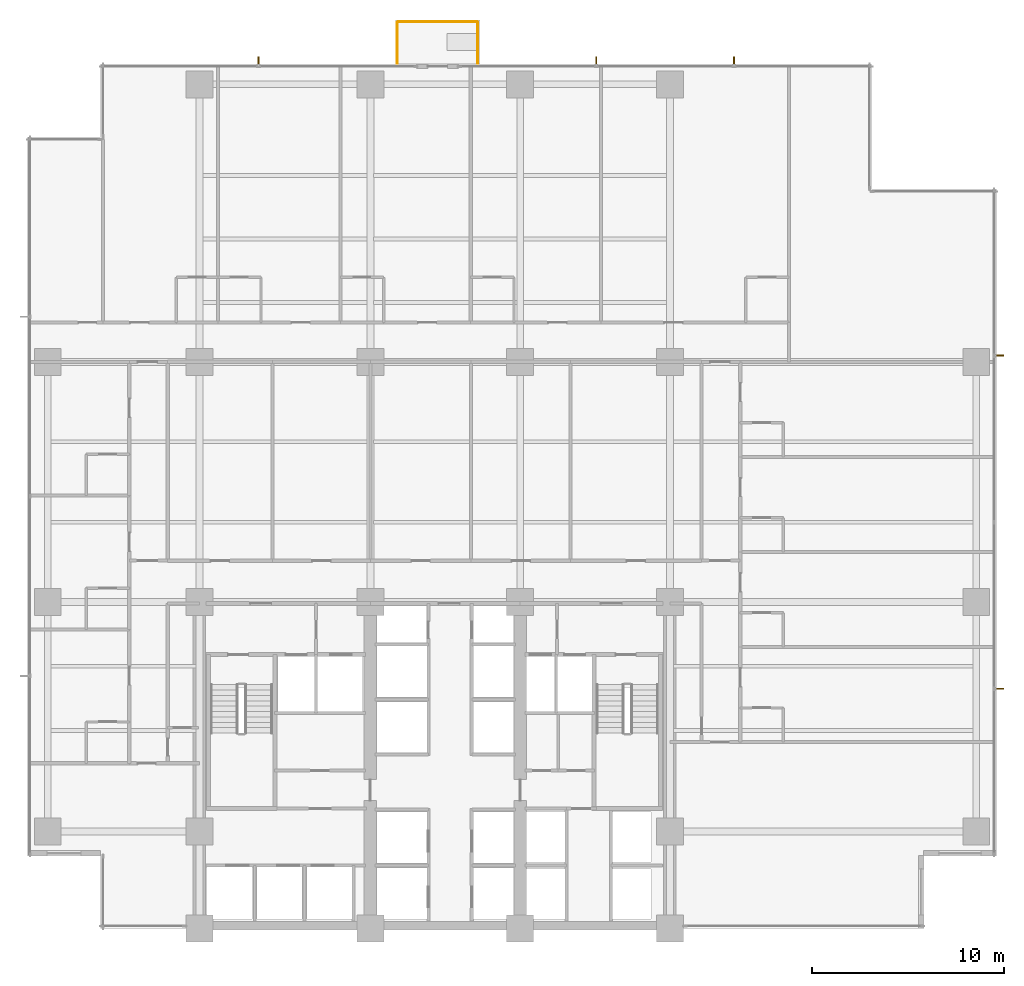
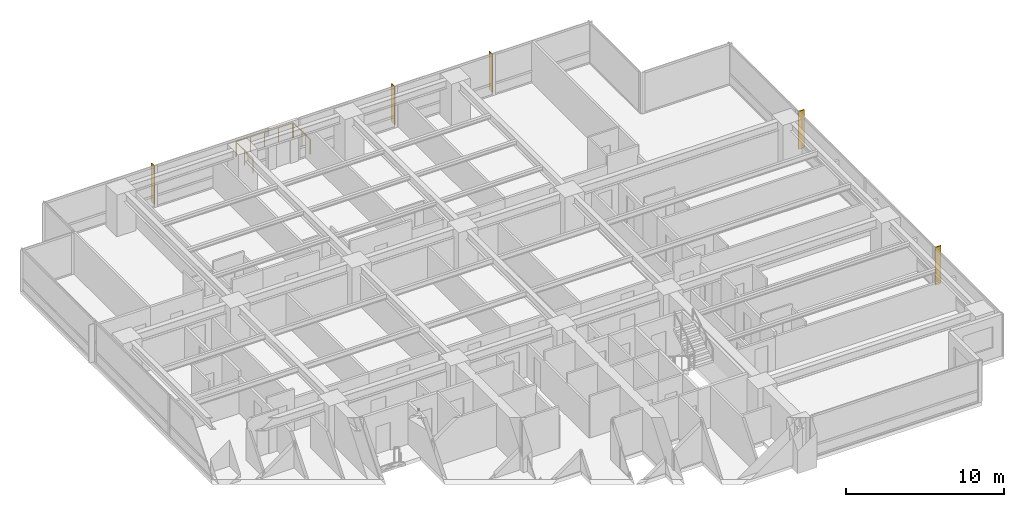
# One storey, part 16 of 16: 5 shading devices, 3 railings.
"""IFC4 building model written with IfcOpenShell, lengths in metres."""

from ifc_helpers import new_model, si_unit, direction, frame, origin, origin_2d, place, context, subcontext, project, spatial, polyline, circle, outline, extrude, material, layer, layer_set, type_object, element, save


model = new_model("IFC4")

# Units and contexts
model_context = context("Model", 3, precision=1e-05, world=origin(), true_north=direction((0.0, 1.0)))
body_context = subcontext(model_context, "Body", "Model", "MODEL_VIEW")
ifc_project = project(units=[si_unit("LENGTHUNIT", "METRE"), si_unit("AREAUNIT", "SQUARE_METRE"), si_unit("VOLUMEUNIT", "CUBIC_METRE"), si_unit("PLANEANGLEUNIT", "RADIAN"), si_unit("MASSUNIT", "GRAM", prefix="KILO")], contexts=[model_context])

# Site, building, storey
site_placement = place(None, origin())
site = spatial("IfcSite", under=ifc_project, at=site_placement, CompositionType="ELEMENT")
building_placement = place(site_placement, origin())
building = spatial("IfcBuilding", under=site, at=building_placement, Name="Qalmaran Belvedere Hotel", CompositionType="ELEMENT")
storey_placement = place(building_placement, frame((0.0, 0.0, 36.89990234375)))
storey = spatial("IfcBuildingStorey", under=building, at=storey_placement, Name="L08", CompositionType="ELEMENT", Elevation=36.89990234375)

# Shading devices
ifc_material = material(Name="Anodised Bronze Aluminium", Category="aluminium")
ifc_layer = layer(ifc_material, 0.06494140625, Name="Anodised Bronze Aluminium")
ifc_layer_set = layer_set([ifc_layer], Name="Anodised Bronze Aluminium")
shading_device_type = type_object("IfcShadingDeviceType", Name="FIN-BRNZ-420", PredefinedType="USERDEFINED", material=ifc_layer_set)
shading_device_1_placement = place(storey_placement, frame((0.0, 0.0, 0.16015625)))
element("IfcShadingDevice", 1, at=shading_device_1_placement, inside=storey, type_object=shading_device_type, Name="L08 Bronze Fin 1", ObjectType="FIN", PredefinedType="USERDEFINED", context=body_context, shape_type="SweptSolid", body=[
    extrude(outline(polyline([(61.7724609375, 15.9423828125), (62.1923828125, 15.9423828125), (62.1923828125, 16.007568359375), (61.7724609375, 16.007568359375), (61.7724609375, 15.9423828125)])), origin(), (0.0, 0.0, 1.0), 2.93994140625),
])
shading_device_2_placement = place(storey_placement, frame((0.0, 0.0, 0.16015625)))
element("IfcShadingDevice", 2, at=shading_device_2_placement, inside=storey, type_object=shading_device_type, Name="L08 Bronze Fin 3", ObjectType="FIN", PredefinedType="USERDEFINED", context=body_context, shape_type="SweptSolid", body=[
    extrude(outline(polyline([(61.7724609375, 33.29248046875), (62.1923828125, 33.29248046875), (62.1923828125, 33.357421875), (61.7724609375, 33.357421875), (61.7724609375, 33.29248046875)])), origin(), (0.0, 0.0, 1.0), 2.93994140625),
])
shading_device_3_placement = place(storey_placement, frame((0.0, 0.0, 0.16015625)))
element("IfcShadingDevice", 3, at=shading_device_3_placement, inside=storey, type_object=shading_device_type, Name="L08 Bronze Fin 1", ObjectType="FIN", PredefinedType="USERDEFINED", context=body_context, shape_type="SweptSolid", body=[
    extrude(outline(polyline([(23.407470703125, 48.472412109375), (23.407470703125, 48.892578125), (23.342529296875, 48.892578125), (23.342529296875, 48.472412109375), (23.407470703125, 48.472412109375)])), origin(), (0.0, 0.0, 1.0), 2.93994140625),
])
shading_device_4_placement = place(storey_placement, frame((0.0, 0.0, 0.16015625)))
element("IfcShadingDevice", 4, at=shading_device_4_placement, inside=storey, type_object=shading_device_type, Name="L08 Bronze Fin 1", ObjectType="FIN", PredefinedType="USERDEFINED", context=body_context, shape_type="SweptSolid", body=[
    extrude(outline(polyline([(48.165771484375, 48.472412109375), (48.165771484375, 48.892578125), (48.100830078125, 48.892578125), (48.100830078125, 48.472412109375), (48.165771484375, 48.472412109375)])), origin(), (0.0, 0.0, 1.0), 2.93994140625),
])
shading_device_5_placement = place(storey_placement, frame((0.0, 0.0, 0.16015625)))
element("IfcShadingDevice", 5, at=shading_device_5_placement, inside=storey, type_object=shading_device_type, Name="L08 Bronze Fin 2", ObjectType="FIN", PredefinedType="USERDEFINED", context=body_context, shape_type="SweptSolid", body=[
    extrude(outline(polyline([(40.999267578125, 48.472412109375), (40.999267578125, 48.892578125), (40.93408203125, 48.892578125), (40.93408203125, 48.472412109375), (40.999267578125, 48.472412109375)])), origin(), (0.0, 0.0, 1.0), 2.93994140625),
])

# Railings
railing_type = type_object("IfcRailingType", Name="GRD-BAL-1150", PredefinedType="BALUSTRADE", material=ifc_material)
railing_1_placement = place(storey_placement, frame((30.60009765625, 48.534912109375, 0.0)))
element("IfcRailing", 6, at=railing_1_placement, inside=storey, type_object=railing_type, Name="L08 Guardrail BAL-L08-N-1", PredefinedType="BALUSTRADE", context=body_context, shape_type="SweptSolid", body=[
    extrude(circle(Radius=0.02392578125, at=origin_2d()), frame((0.0, 0.0, 1.1259765625), z_axis=(0.0, 1.0, 0.0), x_axis=(-1.0, 0.0, 0.0)), (0.0, 0.0, 1.0), 2.130126953125),
    extrude(circle(Radius=0.02099609375, at=origin_2d()), origin(), (0.0, 0.0, 1.0), 1.101806640625),
    extrude(circle(Radius=0.02099609375, at=origin_2d()), frame((0.0, 1.06494140625, 0.0)), (0.0, 0.0, 1.0), 1.101806640625),
    extrude(circle(Radius=0.02099609375, at=origin_2d()), frame((0.0, 2.130126953125, 0.0)), (0.0, 0.0, 1.0), 1.101806640625),
])
railing_2_placement = place(storey_placement, frame((30.635009765625, 50.699951171875, 0.0)))
element("IfcRailing", 7, at=railing_2_placement, inside=storey, type_object=railing_type, Name="L08 Guardrail BAL-L08-N-2", PredefinedType="BALUSTRADE", context=body_context, shape_type="SweptSolid", body=[
    extrude(circle(Radius=0.02392578125, at=origin_2d()), frame((0.0, 0.0, 1.1259765625), z_axis=(1.0, 0.0, 0.0), x_axis=(0.0, 1.0, 0.0)), (0.0, 0.0, 1.0), 4.1298828125),
    extrude(circle(Radius=0.02099609375, at=origin_2d()), origin(), (0.0, 0.0, 1.0), 1.101806640625),
    extrude(circle(Radius=0.02099609375, at=origin_2d()), frame((1.032470703125, 0.0, 0.0)), (0.0, 0.0, 1.0), 1.101806640625),
    extrude(circle(Radius=0.02099609375, at=origin_2d()), frame((2.06494140625, 0.0, 0.0)), (0.0, 0.0, 1.0), 1.101806640625),
    extrude(circle(Radius=0.02099609375, at=origin_2d()), frame((3.097412109375, 0.0, 0.0)), (0.0, 0.0, 1.0), 1.101806640625),
    extrude(circle(Radius=0.02099609375, at=origin_2d()), frame((4.1298828125, 0.0, 0.0)), (0.0, 0.0, 1.0), 1.101806640625),
])
railing_3_placement = place(storey_placement, frame((34.800048828125, 50.6650390625, 0.0)))
element("IfcRailing", 8, at=railing_3_placement, inside=storey, type_object=railing_type, Name="L08 Guardrail BAL-L08-N-3", PredefinedType="BALUSTRADE", context=body_context, shape_type="SweptSolid", body=[
    extrude(circle(Radius=0.02392578125, at=origin_2d()), frame((0.0, 0.0, 1.1259765625), z_axis=(0.0, -1.0, 0.0), x_axis=(1.0, 0.0, 0.0)), (0.0, 0.0, 1.0), 2.130126953125),
    extrude(circle(Radius=0.02099609375, at=origin_2d()), origin(), (0.0, 0.0, 1.0), 1.101806640625),
    extrude(circle(Radius=0.02099609375, at=origin_2d()), frame((0.0, -1.06494140625, 0.0)), (0.0, 0.0, 1.0), 1.101806640625),
    extrude(circle(Radius=0.02099609375, at=origin_2d()), frame((0.0, -2.130126953125, 0.0)), (0.0, 0.0, 1.0), 1.101806640625),
])

save(model, "model.ifc")
